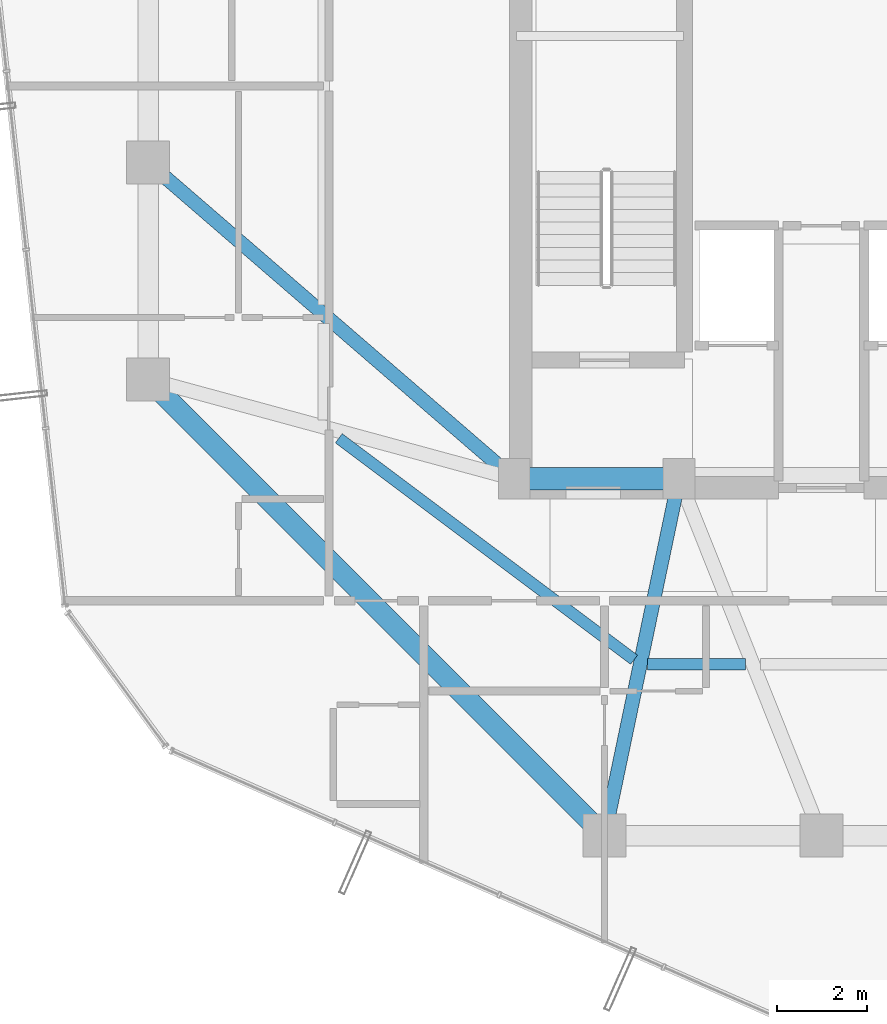
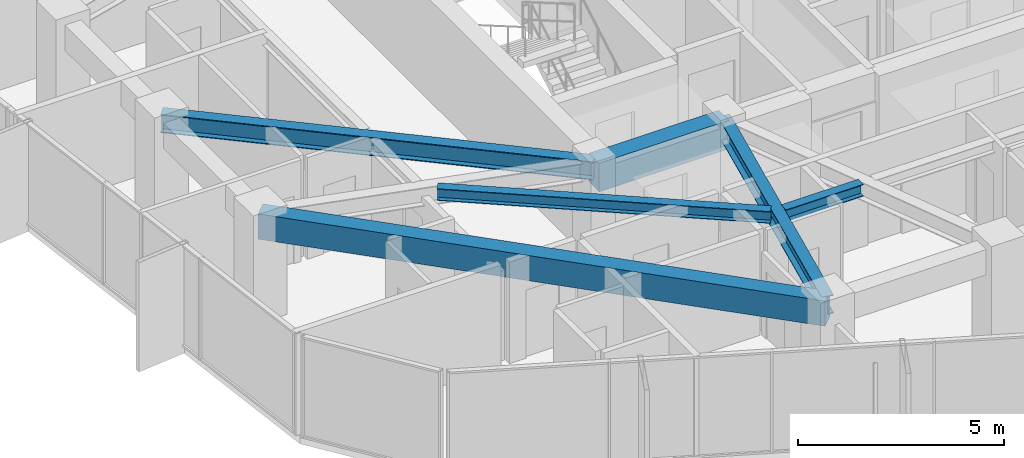
# One storey, part 6 of 32: 6 beams.
"""IFC4 building model written with IfcOpenShell, lengths in metres."""

import ifcopenshell
import ifcopenshell.guid

model = None  # the IFC model being written
_history = None  # IfcOwnerHistory: only IFC2X3 demands one
_inside = {}  # id of a spatial element -> (the spatial element, [elements in it])
_under = {}  # id of a project, library or spatial element -> (it, [spatial elements below it])
_declared = {}  # id of a project -> (the project, [libraries it declares])
_typed = {}  # id of a type object -> (the type object, [elements of that type])
_made_of = {}  # id of a material, layer set ... -> (it, [elements and type objects made of it])


def new_model(schema):
    """Start an empty IFC model of exactly this schema.

    Asked for "IFC4X3", IfcOpenShell would pick the latest addendum, in which some entities
    have other attributes; the version numbers below select the first issue.
    IFC2X3 requires an IfcOwnerHistory on every rooted entity: one is made here for all.
    """
    global model, _history
    if schema == "IFC4X3":
        model = ifcopenshell.file(schema_version=(4, 3, 0, 0))
    else:
        model = ifcopenshell.file(schema=schema)
    _inside.clear()
    _under.clear()
    _declared.clear()
    _typed.clear()
    _made_of.clear()
    _history = None
    if model.schema == "IFC2X3":
        org = make("IfcOrganization", Name="unknown")
        user = make(
            "IfcPersonAndOrganization",
            ThePerson=make("IfcPerson", FamilyName="unknown"),
            TheOrganization=org,
        )
        app = make(
            "IfcApplication",
            ApplicationDeveloper=org,
            Version="unknown",
            ApplicationFullName="unknown",
            ApplicationIdentifier="unknown",
        )
        _history = make(
            "IfcOwnerHistory",
            OwningUser=user,
            OwningApplication=app,
            ChangeAction="ADDED",
            CreationDate=0,
        )
    return model


def make(cls, **values):
    """One entity of the class cls with the attributes given. An attribute that is None is left unset."""
    return model.create_entity(
        cls, **{name: value for name, value in values.items() if value is not None}
    )


def rooted(cls, **values):
    """An entity with a GlobalId (a new one), such as an element, a storey or a relation."""
    return make(cls, GlobalId=ifcopenshell.guid.new(), OwnerHistory=_history, **values)


def si_unit(unit_type, name, prefix=None):
    """IfcSIUnit, for example si_unit("LENGTHUNIT", "METRE", prefix="MILLI")."""
    return make("IfcSIUnit", UnitType=unit_type, Prefix=prefix, Name=name)


def assignment(units):
    """IfcUnitAssignment: the units of a project."""
    return None if units is None else make("IfcUnitAssignment", Units=units)


def point(xyz):
    """IfcCartesianPoint."""
    return None if xyz is None else make("IfcCartesianPoint", Coordinates=xyz)


def direction(xyz):
    """IfcDirection."""
    return None if xyz is None else make("IfcDirection", DirectionRatios=xyz)


def frame(location, z_axis=None, x_axis=None):
    """IfcAxis2Placement3D, a coordinate frame: its origin and axes. An axis left out is left unset."""
    return make(
        "IfcAxis2Placement3D",
        Location=point(location),
        Axis=direction(z_axis),
        RefDirection=direction(x_axis),
    )


def frame_2d(location, x_axis=None):
    """IfcAxis2Placement2D, a coordinate frame in the plane: its origin and x axis."""
    return make(
        "IfcAxis2Placement2D", Location=point(location), RefDirection=direction(x_axis)
    )


def origin():
    """The frame at (0, 0, 0) with its axes left unset."""
    return frame((0.0, 0.0, 0.0))


def origin_2d():
    """The frame at (0, 0) in the plane with its x axis left unset."""
    return frame_2d((0.0, 0.0))


def place(relative_to, where):
    """IfcLocalPlacement: puts the frame where relative to a parent placement (None: the world)."""
    return make(
        "IfcLocalPlacement", PlacementRelTo=relative_to, RelativePlacement=where
    )


def context(
    kind, dimensions, precision=None, world=None, true_north=None, identifier=None
):
    """IfcGeometricRepresentationContext, for example the 3D "Model" context."""
    return make(
        "IfcGeometricRepresentationContext",
        ContextIdentifier=identifier,
        ContextType=kind,
        CoordinateSpaceDimension=dimensions,
        Precision=precision,
        WorldCoordinateSystem=world,
        TrueNorth=true_north,
    )


def subcontext(parent, identifier, kind, view, scale=None):
    """IfcGeometricRepresentationSubContext, for example "Body" below "Model"."""
    return make(
        "IfcGeometricRepresentationSubContext",
        ContextIdentifier=identifier,
        ContextType=kind,
        ParentContext=parent,
        TargetScale=scale,
        TargetView=view,
    )


def project(units=None, contexts=None):
    """IfcProject with its units and contexts."""
    return rooted(
        "IfcProject",
        Name="project",
        RepresentationContexts=contexts,
        UnitsInContext=assignment(units),
    )


def spatial(cls, under=None, at=None, **own):
    """A site, building, storey or space (cls), placed at a placement, below another one or the project."""
    s = rooted(cls, ObjectPlacement=at, **own)
    if under is not None:
        _under.setdefault(under.id(), (under, []))[1].append(s)
    return s


def profile(cls, at=None, kind="AREA", **sizes):
    """A parametric profile (cls). Its sizes go by their IFC names, for example OverallWidth=200.0."""
    return make(cls, ProfileType=kind, Position=at, **sizes)


def rectangle(**sizes):
    """IfcRectangleProfileDef."""
    return profile("IfcRectangleProfileDef", **sizes)


def i_section(**sizes):
    """IfcIShapeProfileDef."""
    return profile("IfcIShapeProfileDef", **sizes)


def extrude(swept, where, along, depth):
    """IfcExtrudedAreaSolid: the profile swept, set in the frame where, extruded along a direction by depth."""
    return make(
        "IfcExtrudedAreaSolid",
        SweptArea=swept,
        Position=where,
        ExtrudedDirection=direction(along),
        Depth=depth,
    )


def shape(context_of_items, identifier, shape_type, items):
    """IfcShapeRepresentation: the items that make up one representation, for example the "Body"."""
    return make(
        "IfcShapeRepresentation",
        ContextOfItems=context_of_items,
        RepresentationIdentifier=identifier,
        RepresentationType=shape_type,
        Items=items,
    )


def material(Name=None, Category=None):
    """IfcMaterial."""
    return make("IfcMaterial", Name=Name, Category=Category)


def material_profile(
    of_material, cross_section, Name=None, Category=None, Priority=None
):
    """IfcMaterialProfile: a cross section and its material."""
    return make(
        "IfcMaterialProfile",
        Name=Name,
        Material=of_material,
        Profile=cross_section,
        Priority=Priority,
        Category=Category,
    )


def profile_set(profiles, Name=None, composite=None):
    """IfcMaterialProfileSet."""
    return make(
        "IfcMaterialProfileSet",
        Name=Name,
        MaterialProfiles=profiles,
        CompositeProfile=composite,
    )


def made_of(thing, what):
    """Note that an element or type object is made of a material, layer set ...; save() writes the relation."""
    if what is not None:
        _made_of.setdefault(what.id(), (what, []))[1].append(thing)
    return thing


def type_object(cls, material=None, **own):
    """A type object (cls), such as IfcWallType, which elements share."""
    return made_of(rooted(cls, **own), material)


def element(
    cls,
    number,
    at=None,
    inside=None,
    cuts=None,
    type_object=None,
    material=None,
    context=None,
    identifier="Body",
    shape_type=None,
    held_by="IfcProductDefinitionShape",
    body=None,
    shapes=None,
    **own,
):
    """One element of the class cls, such as IfcWall. Its Tag is "e" and its number.

    at: its placement. inside: the storey or other place that contains it. cuts: it is an
    opening in that element (IfcRelVoidsElement). A single representation is given by context,
    identifier, shape_type and body (its items); several are given by shapes. held_by: the class
    of the entity that holds the representations. save() writes the other relations.
    """
    e = rooted(cls, Tag="e%d" % number, ObjectPlacement=at, **own)
    if body is not None:
        shapes = [shape(context, identifier, shape_type, body)]
    if shapes is not None:
        e.Representation = make(held_by, Representations=shapes)
    if inside is not None:
        _inside.setdefault(inside.id(), (inside, []))[1].append(e)
    if cuts is not None:
        rooted(
            "IfcRelVoidsElement", RelatingBuildingElement=cuts, RelatedOpeningElement=e
        )
    if type_object is not None:
        _typed.setdefault(type_object.id(), (type_object, []))[1].append(e)
    return made_of(e, material)


def aggregate(whole, parts):
    """IfcRelAggregates: a whole, such as a stair, and the parts it consists of."""
    return rooted("IfcRelAggregates", RelatingObject=whole, RelatedObjects=parts)


def save(model, path):
    """Write the relations noted so far, then the file.

    IfcRelAggregates (storeys below a building ...), IfcRelContainedInSpatialStructure (elements
    in a storey), IfcRelDefinesByType, IfcRelAssociatesMaterial and IfcRelDeclares: one each for
    every whole, place, type object, material and project.
    """
    for whole, parts in _under.values():
        aggregate(whole, parts)
    for where, things in _inside.values():
        rooted(
            "IfcRelContainedInSpatialStructure",
            RelatedElements=things,
            RelatingStructure=where,
        )
    for kind, things in _typed.values():
        rooted("IfcRelDefinesByType", RelatedObjects=things, RelatingType=kind)
    for what, things in _made_of.values():
        rooted("IfcRelAssociatesMaterial", RelatedObjects=things, RelatingMaterial=what)
    for by, libraries in _declared.values():
        rooted("IfcRelDeclares", RelatingContext=by, RelatedDefinitions=libraries)
    model.write(path)


model = new_model("IFC4")

# Units and contexts
model_context = context("Model", 3, precision=1e-05, world=origin(), true_north=direction((0.0, 1.0)))
body_context = subcontext(model_context, "Body", "Model", "MODEL_VIEW")
ifc_project = project(units=[si_unit("LENGTHUNIT", "METRE"), si_unit("AREAUNIT", "SQUARE_METRE"), si_unit("VOLUMEUNIT", "CUBIC_METRE"), si_unit("PLANEANGLEUNIT", "RADIAN"), si_unit("MASSUNIT", "GRAM", prefix="KILO")], contexts=[model_context])

# Site, building, storey
site_placement = place(None, origin())
site = spatial("IfcSite", under=ifc_project, at=site_placement, CompositionType="ELEMENT")
building_placement = place(site_placement, origin())
building = spatial("IfcBuilding", under=site, at=building_placement, Name="Veraguas Prism Commons", CompositionType="ELEMENT")
storey_placement = place(building_placement, frame((0.0, 0.0, 185.35009765625)))
storey = spatial("IfcBuildingStorey", under=building, at=storey_placement, Name="L52", CompositionType="ELEMENT", Elevation=185.35009765625)

# Beams
ifc_material_1 = material(Name="Concrete C50/60", Category="concrete")
ifc_material_profile_1 = material_profile(ifc_material_1, rectangle(XDim=0.5, YDim=0.85009765625, at=origin_2d()), Name="RC500X850")
ifc_profile_set_1 = profile_set([ifc_material_profile_1], Name="Concrete C50/60")
beam_type_1 = type_object("IfcBeamType", Name="Core Coupling Beam RC 500x850", PredefinedType="BEAM", material=ifc_profile_set_1)
beam_1_placement = place(storey_placement, frame((17.199951171875, 17.0, 2.58984375), z_axis=(1.0, 0.0, 0.0), x_axis=(0.0, 1.0, 0.0)))
element("IfcBeam", 1, at=beam_1_placement, inside=storey, type_object=beam_type_1, Name="Core Coupling Beam L52-CRS1", PredefinedType="BEAM", context=body_context, shape_type="SweptSolid", body=[
    extrude(rectangle(XDim=0.5, YDim=0.85009765625, at=origin_2d()), origin(), (0.0, 0.0, 1.0), 3.650146484375),
])
ifc_material_profile_2 = material_profile(ifc_material_1, rectangle(XDim=0.449951171875, YDim=0.75, at=origin_2d()), Name="RC450X750")
ifc_profile_set_2 = profile_set([ifc_material_profile_2], Name="Concrete C50/60")
beam_type_2 = type_object("IfcBeamType", Name="Perimeter Spandrel Upper RC 450x750", PredefinedType="SPANDREL", material=ifc_profile_set_2)
beam_2_placement = place(storey_placement, frame((9.10009765625, 19.199951171875, 2.639892578125), z_axis=(0.707106781187, -0.707106781187, 0.0), x_axis=(0.707106781187, 0.707106781187, 0.0)))
element("IfcBeam", 2, at=beam_2_placement, inside=storey, type_object=beam_type_2, Name="Perimeter Spandrel Beam L52-SP09", PredefinedType="SPANDREL", context=body_context, shape_type="SweptSolid", body=[
    extrude(rectangle(XDim=0.449951171875, YDim=0.75, at=origin_2d()), origin(), (0.0, 0.0, 1.0), 14.283447265625),
])
ifc_material_2 = material(Name="Steel ASTM A992 Grade 50", Category="steel")
ifc_material_profile_3 = material_profile(ifc_material_2, i_section(OverallWidth=0.25390625, OverallDepth=0.35302734375, WebThickness=0.009521484375, FlangeThickness=0.016357421875, at=origin_2d()), Name="W360X91")
ifc_profile_set_3 = profile_set([ifc_material_profile_3], Name="Steel ASTM A992 Grade 50")
beam_type_3 = type_object("IfcBeamType", Name="Upper Floor Joist W360x91", PredefinedType="JOIST", material=ifc_profile_set_3)
beam_3_placement = place(storey_placement, frame((13.320556640625, 17.89453125, 2.83837890625), z_axis=(0.800060962004, -0.599918708724, 0.0), x_axis=(0.599918708724, 0.800060962004, 0.0)))
element("IfcBeam", 3, at=beam_3_placement, inside=storey, type_object=beam_type_3, Name="Composite Floor Joist L52-JS09", PredefinedType="JOIST", context=body_context, shape_type="SweptSolid", body=[
    extrude(i_section(OverallWidth=0.25390625, OverallDepth=0.35302734375, WebThickness=0.009521484375, FlangeThickness=0.016357421875, at=origin_2d()), origin(), (0.0, 0.0, 1.0), 8.169189453125),
])
beam_4_placement = place(storey_placement, frame((20.148681640625, 12.89208984375, 2.83837890625), z_axis=(1.0, 0.0, 0.0), x_axis=(0.0, 1.0, 0.0)))
element("IfcBeam", 4, at=beam_4_placement, inside=storey, type_object=beam_type_3, Name="Composite Floor Joist L52-JS10", PredefinedType="JOIST", context=body_context, shape_type="SweptSolid", body=[
    extrude(i_section(OverallWidth=0.25390625, OverallDepth=0.35302734375, WebThickness=0.009521484375, FlangeThickness=0.016357421875, at=origin_2d()), origin(), (0.0, 0.0, 1.0), 2.174072265625),
])
ifc_material_profile_4 = material_profile(ifc_material_2, i_section(OverallWidth=0.31103515625, OverallDepth=0.5458984375, WebThickness=0.0146484375, FlangeThickness=0.023681640625, at=origin_2d()), Name="W530X165")
ifc_profile_set_4 = profile_set([ifc_material_profile_4], Name="Steel ASTM A992 Grade 50")
beam_type_4 = type_object("IfcBeamType", Name="Zone 3 Radial Girder W530x165", PredefinedType="BEAM", material=ifc_profile_set_4)
beam_5_placement = place(storey_placement, frame((9.10009765625, 24.0, 2.741943359375), z_axis=(0.756607086554, -0.653869800936, 0.0), x_axis=(0.653869800936, 0.756607086554, 0.0)))
element("IfcBeam", 5, at=beam_5_placement, inside=storey, type_object=beam_type_4, Name="Radial Floor Girder L52-RD08", PredefinedType="BEAM", context=body_context, shape_type="SweptSolid", body=[
    extrude(i_section(OverallWidth=0.31103515625, OverallDepth=0.5458984375, WebThickness=0.0146484375, FlangeThickness=0.023681640625, at=origin_2d()), origin(), (0.0, 0.0, 1.0), 10.70556640625),
])
beam_6_placement = place(storey_placement, frame((19.199951171875, 9.10009765625, 2.741943359375), z_axis=(0.204468851168, 0.978873070884, 0.0), x_axis=(-0.978873070884, 0.204468851168, 0.0)))
element("IfcBeam", 6, at=beam_6_placement, inside=storey, type_object=beam_type_4, Name="Radial Floor Girder L52-RD10", PredefinedType="BEAM", context=body_context, shape_type="SweptSolid", body=[
    extrude(i_section(OverallWidth=0.31103515625, OverallDepth=0.5458984375, WebThickness=0.0146484375, FlangeThickness=0.023681640625, at=origin_2d()), origin(), (0.0, 0.0, 1.0), 8.0703125),
])

save(model, "model.ifc")
